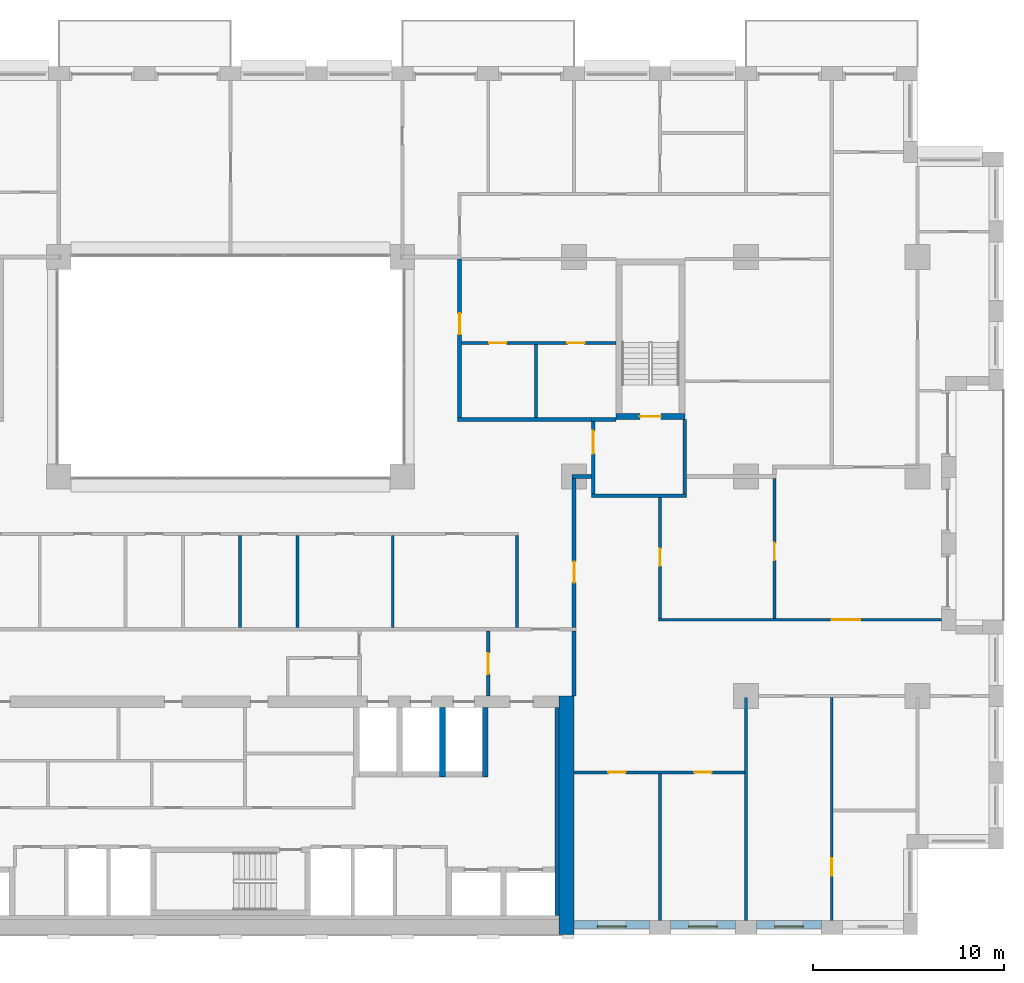
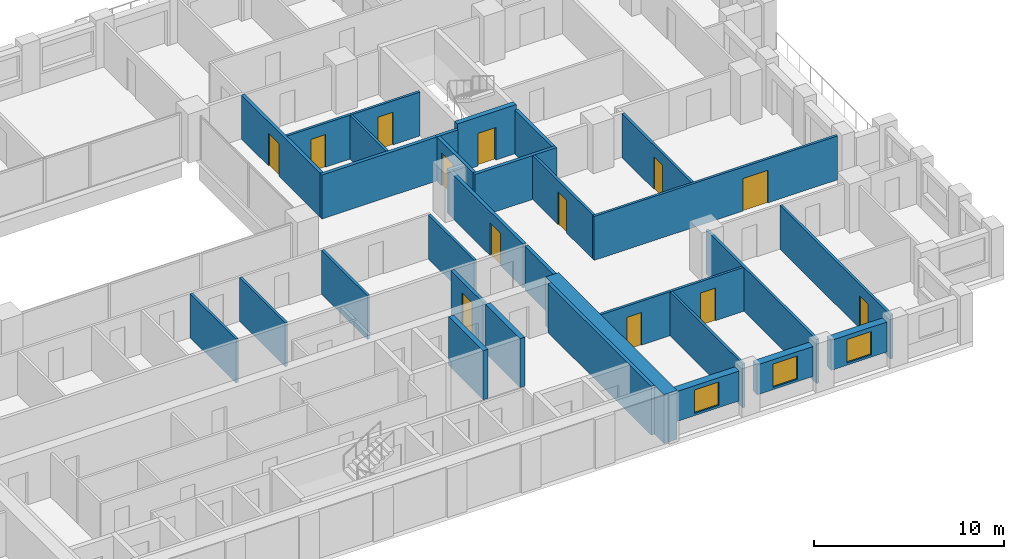
# One storey, part 11 of 16: 31 walls, 13 doors, 3 windows, 16 openings.
"""IFC4 building model written with IfcOpenShell, lengths in metres."""

from ifc_helpers import new_model, si_unit, direction, frame, frame_2d, origin, place, context, subcontext, project, spatial, rectangle, extrude, material, layer, layer_set, type_object, element, fill, save


model = new_model("IFC4")

# Units and contexts
model_context = context("Model", 3, precision=1e-05, world=origin(), true_north=direction((0.0, 1.0)))
body_context = subcontext(model_context, "Body", "Model", "MODEL_VIEW")
ifc_project = project(units=[si_unit("LENGTHUNIT", "METRE"), si_unit("AREAUNIT", "SQUARE_METRE"), si_unit("VOLUMEUNIT", "CUBIC_METRE"), si_unit("PLANEANGLEUNIT", "RADIAN"), si_unit("MASSUNIT", "GRAM", prefix="KILO")], contexts=[model_context])

# Site, building, storey
site_placement = place(None, origin())
site = spatial("IfcSite", under=ifc_project, at=site_placement, CompositionType="ELEMENT")
building_placement = place(site_placement, origin())
building = spatial("IfcBuilding", under=site, at=building_placement, Name="Brigalow Station Residences", CompositionType="ELEMENT")
storey_placement = place(building_placement, frame((0.0, 0.0, 102.449951171875)))
storey = spatial("IfcBuildingStorey", under=building, at=storey_placement, Name="L29", CompositionType="ELEMENT", Elevation=102.449951171875)

# Wall, opening, window
ifc_material_1 = material(Name="Clay brick masonry", Category="masonry")
ifc_layer_1 = layer(ifc_material_1, 0.449951171875)
ifc_layer_set_1 = layer_set([ifc_layer_1], Name="BRICK INFILL WALL 450")
wall_type_1 = type_object("IfcWallType", Name="BRICK INFILL WALL 450", PredefinedType="SOLIDWALL", material=ifc_layer_set_1)
wall_1_placement = place(storey_placement, frame((54.0, 0.52490234375, 0.900146484375), z_axis=(0.0, 0.0, 1.0), x_axis=(1.0, 0.0, 0.0)))
wall_1 = element("IfcWall", 1, at=wall_1_placement, inside=storey, type_object=wall_type_1, Name="L29/ewall/W-L29-4", PredefinedType="SOLIDWALL", context=body_context, shape_type="SweptSolid", body=[
    extrude(rectangle(XDim=3.949951171875, YDim=0.449951171875, at=frame_2d((1.97509765625, 0.0))), origin(), (0.0, 0.0, 1.0), 1.929931640625),
])
opening_1_placement = place(wall_1_placement, frame((1.22509765625, 0.0, 0.14990234375)))
opening_1 = element("IfcOpeningElement", 2, at=opening_1_placement, cuts=wall_1, Name="Opening WT-1", PredefinedType="OPENING", context=body_context, shape_type="SweptSolid", body=[
    extrude(rectangle(XDim=1.5, YDim=1.5, at=frame_2d((0.75, 0.75))), frame((0.0, 0.23486328125, 0.0), z_axis=(0.0, -1.0, 0.0), x_axis=(1.0, 0.0, 0.0)), (0.0, 0.0, 1.0), 0.469970703125),
])
ifc_material_2 = material(Name="Anodised aluminium frame with double glazing", Category="aluminium")
window_type = type_object("IfcWindowType", Name="WINDOW 1500x1500", PartitioningType="SINGLE_PANEL", PredefinedType="WINDOW", material=ifc_material_2)
window_1_placement = place(opening_1_placement, origin())
window_1 = element("IfcWindow", 3, at=window_1_placement, inside=storey, type_object=window_type, Name="L29/window/W-L29-4", OverallHeight=1.5, OverallWidth=1.5, PartitioningType="SINGLE_PANEL", PredefinedType="WINDOW", context=body_context, shape_type="SweptSolid", body=[
    extrude(rectangle(XDim=1.5, YDim=1.5, at=frame_2d((0.75, 0.75))), frame((0.0, -0.06494140625, 0.0), z_axis=(0.0, -1.0, 0.0), x_axis=(1.0, 0.0, 0.0)), (0.0, 0.0, 1.0), 0.06005859375),
])
fill(opening_1, window_1)

wall_2_placement = place(storey_placement, frame((59.050048828125, 0.52490234375, 0.900146484375), z_axis=(0.0, 0.0, 1.0), x_axis=(1.0, 0.0, 0.0)))
wall_2 = element("IfcWall", 4, at=wall_2_placement, inside=storey, type_object=wall_type_1, Name="L29/ewall/W-L29-5", PredefinedType="SOLIDWALL", context=body_context, shape_type="SweptSolid", body=[
    extrude(rectangle(XDim=3.39990234375, YDim=0.449951171875, at=frame_2d((1.699951171875, 0.0))), origin(), (0.0, 0.0, 1.0), 1.929931640625),
])
opening_2_placement = place(wall_2_placement, frame((0.949951171875, 0.0, 0.14990234375)))
opening_2 = element("IfcOpeningElement", 5, at=opening_2_placement, cuts=wall_2, Name="Opening WT-1", PredefinedType="OPENING", context=body_context, shape_type="SweptSolid", body=[
    extrude(rectangle(XDim=1.5, YDim=1.5, at=frame_2d((0.75, 0.75))), frame((0.0, 0.23486328125, 0.0), z_axis=(0.0, -1.0, 0.0), x_axis=(1.0, 0.0, 0.0)), (0.0, 0.0, 1.0), 0.469970703125),
])
window_2_placement = place(opening_2_placement, origin())
window_2 = element("IfcWindow", 6, at=window_2_placement, inside=storey, type_object=window_type, Name="L29/window/W-L29-5", OverallHeight=1.5, OverallWidth=1.5, PartitioningType="SINGLE_PANEL", PredefinedType="WINDOW", context=body_context, shape_type="SweptSolid", body=[
    extrude(rectangle(XDim=1.5, YDim=1.5, at=frame_2d((0.75, 0.75))), frame((0.0, -0.06494140625, 0.0), z_axis=(0.0, -1.0, 0.0), x_axis=(1.0, 0.0, 0.0)), (0.0, 0.0, 1.0), 0.06005859375),
])
fill(opening_2, window_2)

wall_3_placement = place(storey_placement, frame((63.550048828125, 0.52490234375, 0.900146484375), z_axis=(0.0, 0.0, 1.0), x_axis=(1.0, 0.0, 0.0)))
wall_3 = element("IfcWall", 7, at=wall_3_placement, inside=storey, type_object=wall_type_1, Name="L29/ewall/W-L29-6", PredefinedType="SOLIDWALL", context=body_context, shape_type="SweptSolid", body=[
    extrude(rectangle(XDim=3.39990234375, YDim=0.449951171875, at=frame_2d((1.699951171875, 0.0))), origin(), (0.0, 0.0, 1.0), 1.929931640625),
])
opening_3_placement = place(wall_3_placement, frame((0.949951171875, 0.0, 0.14990234375)))
opening_3 = element("IfcOpeningElement", 8, at=opening_3_placement, cuts=wall_3, Name="Opening WT-1", PredefinedType="OPENING", context=body_context, shape_type="SweptSolid", body=[
    extrude(rectangle(XDim=1.5, YDim=1.5, at=frame_2d((0.75, 0.75))), frame((0.0, 0.23486328125, 0.0), z_axis=(0.0, -1.0, 0.0), x_axis=(1.0, 0.0, 0.0)), (0.0, 0.0, 1.0), 0.469970703125),
])
window_3_placement = place(opening_3_placement, origin())
window_3 = element("IfcWindow", 9, at=window_3_placement, inside=storey, type_object=window_type, Name="L29/window/W-L29-6", OverallHeight=1.5, OverallWidth=1.5, PartitioningType="SINGLE_PANEL", PredefinedType="WINDOW", context=body_context, shape_type="SweptSolid", body=[
    extrude(rectangle(XDim=1.5, YDim=1.5, at=frame_2d((0.75, 0.75))), frame((0.0, -0.06494140625, 0.0), z_axis=(0.0, -1.0, 0.0), x_axis=(1.0, 0.0, 0.0)), (0.0, 0.0, 1.0), 0.06005859375),
])
fill(opening_3, window_3)

# Walls
ifc_material_3 = material(Name="Concrete C65", Category="concrete")
ifc_layer_2 = layer(ifc_material_3, 0.199951171875)
ifc_layer_set_2 = layer_set([ifc_layer_2], Name="CORE SHEAR WALL 200 C65")
wall_type_2 = type_object("IfcWallType", Name="CORE SHEAR WALL 200 C65", PredefinedType="SHEAR", material=ifc_layer_set_2)
wall_4_placement = place(storey_placement, frame((53.10009765625, 1.0, 0.0), z_axis=(0.0, 0.0, 1.0), x_axis=(0.0, 1.0, 0.0)))
element("IfcWall", 10, at=wall_4_placement, inside=storey, type_object=wall_type_2, Name="CORE WALL LIN-E L29", PredefinedType="SHEAR", context=body_context, shape_type="SweptSolid", body=[
    extrude(rectangle(XDim=10.89990234375, YDim=0.199951171875, at=frame_2d((5.449951171875, 0.0))), origin(), (0.0, 0.0, 1.0), 3.150146484375),
])
ifc_material_4 = material(Name="Concrete C65", Category="concrete")
ifc_layer_3 = layer(ifc_material_4, 0.300048828125)
ifc_layer_set_3 = layer_set([ifc_layer_3], Name="CORE SHEAR WALL 300 C65")
wall_type_3 = type_object("IfcWallType", Name="CORE SHEAR WALL 300 C65", PredefinedType="SHEAR", material=ifc_layer_set_3)
for number, where, z_axis, x_axis, name in (
    (11, (47.10009765625, 8.25, 0.0), (0.0, 0.0, 1.0), (0.0, 1.0, 0.0), "CORE WALL SH-SL1-W L29"),
    (12, (49.35009765625, 8.25, 0.0), (0.0, 0.0, 1.0), (0.0, 1.0, 0.0), "CORE WALL SH-SL1-E L29"),
):
    element("IfcWall", number, at=place(storey_placement, frame(where, z_axis=z_axis, x_axis=x_axis)), inside=storey, type_object=wall_type_3, Name=name, PredefinedType="SHEAR", context=body_context, shape_type="SweptSolid", body=[
        extrude(rectangle(XDim=3.64990234375, YDim=0.300048828125, at=frame_2d((1.824951171875, 0.0))), origin(), (0.0, 0.0, 1.0), 3.150146484375),
    ])

# Wall, opening, door
wall_5_placement = place(storey_placement, frame((56.199951171875, 27.14990234375, 0.0), z_axis=(0.0, 0.0, 1.0), x_axis=(1.0, 0.0, 0.0)))
wall_5 = element("IfcWall", 13, at=wall_5_placement, inside=storey, type_object=wall_type_3, Name="CORE WALL ST-S3-S L29", PredefinedType="SHEAR", context=body_context, shape_type="SweptSolid", body=[
    extrude(rectangle(XDim=3.60009765625, YDim=0.300048828125, at=frame_2d((1.800048828125, 0.0))), origin(), (0.0, 0.0, 1.0), 3.150146484375),
])
opening_4_placement = place(wall_5_placement, frame((1.25, 0.0, 0.0)))
opening_4 = element("IfcOpeningElement", 14, at=opening_4_placement, cuts=wall_5, Name="Opening D-5018", PredefinedType="OPENING", context=body_context, shape_type="SweptSolid", body=[
    extrude(rectangle(XDim=1.10009765625, YDim=2.10009765625, at=frame_2d((0.550048828125, 1.050048828125))), frame((0.0, 0.16015625, 0.0), z_axis=(0.0, -1.0, 0.0), x_axis=(1.0, 0.0, 0.0)), (0.0, 0.0, 1.0), 0.320068359375),
])
ifc_material_5 = material(Name="Steel fire door leaf in steel frame", Category="steel")
door_type_1 = type_object("IfcDoorType", Name="STAIR DOOR 1100 x 2100 FD60S", OperationType="SINGLE_SWING_LEFT", PredefinedType="DOOR", material=ifc_material_5)
door_1_placement = place(opening_4_placement, origin())
door_1 = element("IfcDoor", 15, at=door_1_placement, inside=storey, type_object=door_type_1, Name="D-5018", OperationType="SINGLE_SWING_LEFT", OverallHeight=2.10009765625, OverallWidth=1.10009765625, PredefinedType="DOOR", context=body_context, shape_type="SweptSolid", body=[
    extrude(rectangle(XDim=1.10009765625, YDim=2.10009765625, at=frame_2d((0.550048828125, 1.050048828125))), frame((0.0, 0.02490234375, 0.0), z_axis=(0.0, -1.0, 0.0), x_axis=(1.0, 0.0, 0.0)), (0.0, 0.0, 1.0), 0.050048828125),
])
fill(opening_4, door_1)

# Walls
ifc_material_6 = material(Name="Concrete C65", Category="concrete")
ifc_layer_4 = layer(ifc_material_6, 0.800048828125)
ifc_layer_set_4 = layer_set([ifc_layer_4], Name="CORE SHEAR WALL 800 C65")
wall_type_4 = type_object("IfcWallType", Name="CORE SHEAR WALL 800 C65", PredefinedType="SHEAR", material=ifc_layer_set_4)
wall_6_placement = place(storey_placement, frame((53.60009765625, 0.0, 0.0), z_axis=(0.0, 0.0, 1.0), x_axis=(0.0, 1.0, 0.0)))
element("IfcWall", 16, at=wall_6_placement, inside=storey, type_object=wall_type_4, Name="CORE WALL OUT-E L29", PredefinedType="SHEAR", context=body_context, shape_type="SweptSolid", body=[
    extrude(rectangle(XDim=12.5, YDim=0.800048828125, at=frame_2d((6.25, 0.0))), origin(), (0.0, 0.0, 1.0), 3.150146484375),
])
ifc_material_7 = material(Name="Concrete blockwork", Category="masonry")
ifc_layer_5 = layer(ifc_material_7, 0.199951171875)
ifc_layer_set_5 = layer_set([ifc_layer_5], Name="FIRE RATED CORE PARTITION 200")
wall_type_5 = type_object("IfcWallType", Name="FIRE RATED CORE PARTITION 200", PredefinedType="PARTITIONING", material=ifc_layer_set_5)
wall_7_placement = place(storey_placement, frame((54.89990234375, 23.0, 0.0), z_axis=(0.0, 0.0, 1.0), x_axis=(1.0, 0.0, 0.0)))
element("IfcWall", 17, at=wall_7_placement, inside=storey, type_object=wall_type_5, Name="PW-5024", PredefinedType="PARTITIONING", context=body_context, shape_type="SweptSolid", body=[
    extrude(rectangle(XDim=5.0, YDim=0.199951171875, at=frame_2d((2.5, 0.0))), origin(), (0.0, 0.0, 1.0), 2.830078125),
])
wall_8_placement = place(storey_placement, frame((54.89990234375, 27.0, 0.0), z_axis=(0.0, 0.0, 1.0), x_axis=(1.0, 0.0, 0.0)))
element("IfcWall", 18, at=wall_8_placement, inside=storey, type_object=wall_type_5, Name="PW-5026", PredefinedType="PARTITIONING", context=body_context, shape_type="SweptSolid", body=[
    extrude(rectangle(XDim=1.300048828125, YDim=0.199951171875, at=frame_2d((0.64990234375, 0.0))), origin(), (0.0, 0.0, 1.0), 2.830078125),
])

# Wall, opening, door
wall_9_placement = place(storey_placement, frame((49.5, 12.5, 0.0), z_axis=(0.0, 0.0, 1.0), x_axis=(0.0, 1.0, 0.0)))
wall_9 = element("IfcWall", 19, at=wall_9_placement, inside=storey, type_object=wall_type_5, Name="PW-5015", PredefinedType="PARTITIONING", context=body_context, shape_type="SweptSolid", body=[
    extrude(rectangle(XDim=3.39990234375, YDim=0.199951171875, at=frame_2d((1.699951171875, 0.0))), origin(), (0.0, 0.0, 1.0), 2.830078125),
])
opening_5_placement = place(wall_9_placement, frame((1.14990234375, 0.0, 0.0)))
opening_5 = element("IfcOpeningElement", 20, at=opening_5_placement, cuts=wall_9, Name="Opening D-5014", PredefinedType="OPENING", context=body_context, shape_type="SweptSolid", body=[
    extrude(rectangle(XDim=1.10009765625, YDim=2.10009765625, at=frame_2d((0.550048828125, 1.050048828125))), frame((0.0, 0.10986328125, 0.0), z_axis=(0.0, -1.0, 0.0), x_axis=(1.0, 0.0, 0.0)), (0.0, 0.0, 1.0), 0.219970703125),
])
ifc_material_8 = material(Name="Steel fire door leaf in steel frame", Category="steel")
door_type_2 = type_object("IfcDoorType", Name="LOBBY DOOR 1100 x 2100 FD60S", OperationType="SINGLE_SWING_LEFT", PredefinedType="DOOR", material=ifc_material_8)
door_2_placement = place(opening_5_placement, origin())
door_2 = element("IfcDoor", 21, at=door_2_placement, inside=storey, type_object=door_type_2, Name="D-5014", OperationType="SINGLE_SWING_LEFT", OverallHeight=2.10009765625, OverallWidth=1.10009765625, PredefinedType="DOOR", context=body_context, shape_type="SweptSolid", body=[
    extrude(rectangle(XDim=1.10009765625, YDim=2.10009765625, at=frame_2d((0.550048828125, 1.050048828125))), frame((0.0, 0.02490234375, 0.0), z_axis=(0.0, -1.0, 0.0), x_axis=(1.0, 0.0, 0.0)), (0.0, 0.0, 1.0), 0.050048828125),
])
fill(opening_5, door_2)

# Wall
wall_10_placement = place(storey_placement, frame((54.0, 12.5, 0.0), z_axis=(0.0, 0.0, 1.0), x_axis=(0.0, 1.0, 0.0)))
element("IfcWall", 22, at=wall_10_placement, inside=storey, type_object=wall_type_5, Name="PW-5016", PredefinedType="PARTITIONING", context=body_context, shape_type="SweptSolid", body=[
    extrude(rectangle(XDim=3.39990234375, YDim=0.199951171875, at=frame_2d((1.699951171875, 0.0))), origin(), (0.0, 0.0, 1.0), 2.830078125),
])

# Wall, opening, door
wall_11_placement = place(storey_placement, frame((55.0, 23.10009765625, 0.0), z_axis=(0.0, 0.0, 1.0), x_axis=(0.0, 1.0, 0.0)))
wall_11 = element("IfcWall", 23, at=wall_11_placement, inside=storey, type_object=wall_type_5, Name="PW-5036", PredefinedType="PARTITIONING", context=body_context, shape_type="SweptSolid", body=[
    extrude(rectangle(XDim=3.7998046875, YDim=0.199951171875, at=frame_2d((1.89990234375, 0.0))), origin(), (0.0, 0.0, 1.0), 2.830078125),
])
opening_6_placement = place(wall_11_placement, frame((2.10009765625, 0.0, 0.0)))
opening_6 = element("IfcOpeningElement", 24, at=opening_6_placement, cuts=wall_11, Name="Opening D-5019", PredefinedType="OPENING", context=body_context, shape_type="SweptSolid", body=[
    extrude(rectangle(XDim=1.199951171875, YDim=2.10009765625, at=frame_2d((0.60009765625, 1.050048828125))), frame((0.0, 0.10986328125, 0.0), z_axis=(0.0, -1.0, 0.0), x_axis=(1.0, 0.0, 0.0)), (0.0, 0.0, 1.0), 0.219970703125),
])
ifc_material_9 = material(Name="Steel fire door leaf in steel frame", Category="steel")
door_type_3 = type_object("IfcDoorType", Name="STAIR LOBBY DOOR 1200 x 2100 FD60S", OperationType="SINGLE_SWING_LEFT", PredefinedType="DOOR", material=ifc_material_9)
door_3_placement = place(opening_6_placement, frame((1.199951171875, 0.0, 0.0), z_axis=(0.0, 0.0, 1.0), x_axis=(-1.0, 0.0, 0.0)))
door_3 = element("IfcDoor", 25, at=door_3_placement, inside=storey, type_object=door_type_3, Name="D-5019", OperationType="SINGLE_SWING_LEFT", OverallHeight=2.10009765625, OverallWidth=1.199951171875, PredefinedType="DOOR", context=body_context, shape_type="SweptSolid", body=[
    extrude(rectangle(XDim=1.199951171875, YDim=2.10009765625, at=frame_2d((0.60009765625, 1.050048828125))), frame((0.0, 0.02490234375, 0.0), z_axis=(0.0, -1.0, 0.0), x_axis=(1.0, 0.0, 0.0)), (0.0, 0.0, 1.0), 0.050048828125),
])
fill(opening_6, door_3)

# Wall
wall_12_placement = place(storey_placement, frame((59.800048828125, 23.10009765625, 0.0), z_axis=(0.0, 0.0, 1.0), x_axis=(0.0, 1.0, 0.0)))
element("IfcWall", 26, at=wall_12_placement, inside=storey, type_object=wall_type_5, Name="PW-5037", PredefinedType="PARTITIONING", context=body_context, shape_type="SweptSolid", body=[
    extrude(rectangle(XDim=3.89990234375, YDim=0.199951171875, at=frame_2d((1.949951171875, 0.0))), origin(), (0.0, 0.0, 1.0), 2.830078125),
])

# Wall, opening, door
ifc_material_10 = material(Name="Plasterboard on steel stud partition", Category="steel")
ifc_layer_6 = layer(ifc_material_10, 0.14990234375)
ifc_layer_set_6 = layer_set([ifc_layer_6], Name="FLAT PARTITION 150")
wall_type_6 = type_object("IfcWallType", Name="FLAT PARTITION 150", PredefinedType="PARTITIONING", material=ifc_layer_set_6)
wall_13_placement = place(storey_placement, frame((58.425048828125, 16.5, 0.0), z_axis=(0.0, 0.0, 1.0), x_axis=(1.0, 0.0, 0.0)))
wall_13 = element("IfcWall", 27, at=wall_13_placement, inside=storey, type_object=wall_type_6, Name="PW-2C14", PredefinedType="PARTITIONING", context=body_context, shape_type="SweptSolid", body=[
    extrude(rectangle(XDim=14.824951171875, YDim=0.14990234375, at=frame_2d((7.41259765625, 0.0))), origin(), (0.0, 0.0, 1.0), 2.830078125),
])
opening_7_placement = place(wall_13_placement, frame((9.074951171875, 0.0, 0.0)))
opening_7 = element("IfcOpeningElement", 28, at=opening_7_placement, cuts=wall_13, Name="Opening D-2C40", PredefinedType="OPENING", context=body_context, shape_type="SweptSolid", body=[
    extrude(rectangle(XDim=1.5, YDim=2.10009765625, at=frame_2d((0.75, 1.050048828125))), frame((0.0, 0.0849609375, 0.0), z_axis=(0.0, -1.0, 0.0), x_axis=(1.0, 0.0, 0.0)), (0.0, 0.0, 1.0), 0.169921875),
])
ifc_material_11 = material(Name="Solid-core timber door leaf", Category="wood")
door_type_4 = type_object("IfcDoorType", Name="INTERNAL DOUBLE DOOR 1500 x 2100", OperationType="DOUBLE_DOOR_SINGLE_SWING", PredefinedType="DOOR", material=ifc_material_11)
door_4_placement = place(opening_7_placement, origin())
door_4 = element("IfcDoor", 29, at=door_4_placement, inside=storey, type_object=door_type_4, Name="D-2C40", OperationType="DOUBLE_DOOR_SINGLE_SWING", OverallHeight=2.10009765625, OverallWidth=1.5, PredefinedType="DOOR", context=body_context, shape_type="SweptSolid", body=[
    extrude(rectangle(XDim=1.5, YDim=2.10009765625, at=frame_2d((0.75, 1.050048828125))), frame((0.0, 0.02490234375, 0.0), z_axis=(0.0, -1.0, 0.0), x_axis=(1.0, 0.0, 0.0)), (0.0, 0.0, 1.0), 0.050048828125),
])
fill(opening_7, door_4)

# Wall, openings, doors
wall_14_placement = place(storey_placement, frame((54.0, 8.5, 0.0), z_axis=(0.0, 0.0, 1.0), x_axis=(1.0, 0.0, 0.0)))
wall_14 = element("IfcWall", 30, at=wall_14_placement, inside=storey, type_object=wall_type_6, Name="PW-2C16", PredefinedType="PARTITIONING", context=body_context, shape_type="SweptSolid", body=[
    extrude(rectangle(XDim=8.925048828125, YDim=0.14990234375, at=frame_2d((4.46240234375, 0.0))), origin(), (0.0, 0.0, 1.0), 2.830078125),
])
opening_8_placement = place(wall_14_placement, frame((1.800048828125, 0.0, 0.0)))
opening_8 = element("IfcOpeningElement", 31, at=opening_8_placement, cuts=wall_14, Name="Opening D-2C32", PredefinedType="OPENING", context=body_context, shape_type="SweptSolid", body=[
    extrude(rectangle(XDim=0.89990234375, YDim=2.10009765625, at=frame_2d((0.449951171875, 1.050048828125))), frame((0.0, 0.0849609375, 0.0), z_axis=(0.0, -1.0, 0.0), x_axis=(1.0, 0.0, 0.0)), (0.0, 0.0, 1.0), 0.169921875),
])
opening_9_placement = place(wall_14_placement, frame((6.300048828125, 0.0, 0.0)))
opening_9 = element("IfcOpeningElement", 32, at=opening_9_placement, cuts=wall_14, Name="Opening D-2C34", PredefinedType="OPENING", context=body_context, shape_type="SweptSolid", body=[
    extrude(rectangle(XDim=0.89990234375, YDim=2.10009765625, at=frame_2d((0.449951171875, 1.050048828125))), frame((0.0, 0.0849609375, 0.0), z_axis=(0.0, -1.0, 0.0), x_axis=(1.0, 0.0, 0.0)), (0.0, 0.0, 1.0), 0.169921875),
])
ifc_material_12 = material(Name="Solid-core timber door leaf", Category="wood")
door_type_5 = type_object("IfcDoorType", Name="INTERNAL DOOR 900 x 2100", OperationType="SINGLE_SWING_LEFT", PredefinedType="DOOR", material=ifc_material_12)
door_5_placement = place(opening_8_placement, frame((0.89990234375, 0.0, 0.0), z_axis=(0.0, 0.0, 1.0), x_axis=(-1.0, 0.0, 0.0)))
door_5 = element("IfcDoor", 33, at=door_5_placement, inside=storey, type_object=door_type_5, Name="D-2C32", OperationType="SINGLE_SWING_LEFT", OverallHeight=2.10009765625, OverallWidth=0.89990234375, PredefinedType="DOOR", context=body_context, shape_type="SweptSolid", body=[
    extrude(rectangle(XDim=0.89990234375, YDim=2.10009765625, at=frame_2d((0.449951171875, 1.050048828125))), frame((0.0, 0.02490234375, 0.0), z_axis=(0.0, -1.0, 0.0), x_axis=(1.0, 0.0, 0.0)), (0.0, 0.0, 1.0), 0.050048828125),
])
fill(opening_8, door_5)
door_6_placement = place(opening_9_placement, frame((0.89990234375, 0.0, 0.0), z_axis=(0.0, 0.0, 1.0), x_axis=(-1.0, 0.0, 0.0)))
door_6 = element("IfcDoor", 34, at=door_6_placement, inside=storey, type_object=door_type_5, Name="D-2C34", OperationType="SINGLE_SWING_RIGHT", OverallHeight=2.10009765625, OverallWidth=0.89990234375, PredefinedType="DOOR", context=body_context, shape_type="SweptSolid", body=[
    extrude(rectangle(XDim=0.89990234375, YDim=2.10009765625, at=frame_2d((0.449951171875, 1.050048828125))), frame((0.0, 0.02490234375, 0.0), z_axis=(0.0, -1.0, 0.0), x_axis=(1.0, 0.0, 0.0)), (0.0, 0.0, 1.0), 0.050048828125),
])
fill(opening_9, door_6)

wall_15_placement = place(storey_placement, frame((48.10009765625, 31.0, 0.0), z_axis=(0.0, 0.0, 1.0), x_axis=(1.0, 0.0, 0.0)))
wall_15 = element("IfcWall", 35, at=wall_15_placement, inside=storey, type_object=wall_type_6, Name="PW-2C31", PredefinedType="PARTITIONING", context=body_context, shape_type="SweptSolid", body=[
    extrude(rectangle(XDim=8.099853515625, YDim=0.14990234375, at=frame_2d((4.0498046875, 0.0))), origin(), (0.0, 0.0, 1.0), 2.830078125),
])
opening_10_placement = place(wall_15_placement, frame((1.449951171875, 0.0, 0.0)))
opening_10 = element("IfcOpeningElement", 36, at=opening_10_placement, cuts=wall_15, Name="Opening D-2C18", PredefinedType="OPENING", context=body_context, shape_type="SweptSolid", body=[
    extrude(rectangle(XDim=0.89990234375, YDim=2.10009765625, at=frame_2d((0.449951171875, 1.050048828125))), frame((0.0, 0.0849609375, 0.0), z_axis=(0.0, -1.0, 0.0), x_axis=(1.0, 0.0, 0.0)), (0.0, 0.0, 1.0), 0.169921875),
])
opening_11_placement = place(wall_15_placement, frame((5.550048828125, 0.0, 0.0)))
opening_11 = element("IfcOpeningElement", 37, at=opening_11_placement, cuts=wall_15, Name="Opening D-2C19", PredefinedType="OPENING", context=body_context, shape_type="SweptSolid", body=[
    extrude(rectangle(XDim=0.89990234375, YDim=2.10009765625, at=frame_2d((0.449951171875, 1.050048828125))), frame((0.0, 0.0849609375, 0.0), z_axis=(0.0, -1.0, 0.0), x_axis=(1.0, 0.0, 0.0)), (0.0, 0.0, 1.0), 0.169921875),
])
door_7_placement = place(opening_10_placement, frame((0.89990234375, 0.0, 0.0), z_axis=(0.0, 0.0, 1.0), x_axis=(-1.0, 0.0, 0.0)))
door_7 = element("IfcDoor", 38, at=door_7_placement, inside=storey, type_object=door_type_5, Name="D-2C18", OperationType="SINGLE_SWING_RIGHT", OverallHeight=2.10009765625, OverallWidth=0.89990234375, PredefinedType="DOOR", context=body_context, shape_type="SweptSolid", body=[
    extrude(rectangle(XDim=0.89990234375, YDim=2.10009765625, at=frame_2d((0.449951171875, 1.050048828125))), frame((0.0, 0.02490234375, 0.0), z_axis=(0.0, -1.0, 0.0), x_axis=(1.0, 0.0, 0.0)), (0.0, 0.0, 1.0), 0.050048828125),
])
fill(opening_10, door_7)
door_8_placement = place(opening_11_placement, frame((0.89990234375, 0.0, 0.0), z_axis=(0.0, 0.0, 1.0), x_axis=(-1.0, 0.0, 0.0)))
door_8 = element("IfcDoor", 39, at=door_8_placement, inside=storey, type_object=door_type_5, Name="D-2C19", OperationType="SINGLE_SWING_RIGHT", OverallHeight=2.10009765625, OverallWidth=0.89990234375, PredefinedType="DOOR", context=body_context, shape_type="SweptSolid", body=[
    extrude(rectangle(XDim=0.89990234375, YDim=2.10009765625, at=frame_2d((0.449951171875, 1.050048828125))), frame((0.0, 0.02490234375, 0.0), z_axis=(0.0, -1.0, 0.0), x_axis=(1.0, 0.0, 0.0)), (0.0, 0.0, 1.0), 0.050048828125),
])
fill(opening_11, door_8)

# Walls
wall_16_placement = place(storey_placement, frame((51.0, 16.10009765625, 0.0), z_axis=(0.0, 0.0, 1.0), x_axis=(0.0, 1.0, 0.0)))
element("IfcWall", 40, at=wall_16_placement, inside=storey, type_object=wall_type_6, Name="PW-2C40", PredefinedType="PARTITIONING", context=body_context, shape_type="SweptSolid", body=[
    extrude(rectangle(XDim=4.824951171875, YDim=0.14990234375, at=frame_2d((2.41259765625, 0.0))), origin(), (0.0, 0.0, 1.0), 2.830078125),
])
wall_17_placement = place(storey_placement, frame((52.0, 27.10009765625, 0.0), z_axis=(0.0, 0.0, 1.0), x_axis=(0.0, 1.0, 0.0)))
element("IfcWall", 41, at=wall_17_placement, inside=storey, type_object=wall_type_6, Name="PW-2C55", PredefinedType="PARTITIONING", context=body_context, shape_type="SweptSolid", body=[
    extrude(rectangle(XDim=3.824951171875, YDim=0.14990234375, at=frame_2d((1.91259765625, 0.0))), origin(), (0.0, 0.0, 1.0), 2.830078125),
])

# Wall, opening, door
wall_18_placement = place(storey_placement, frame((67.5, 0.75, 0.0), z_axis=(0.0, 0.0, 1.0), x_axis=(0.0, 1.0, 0.0)))
wall_18 = element("IfcWall", 42, at=wall_18_placement, inside=storey, type_object=wall_type_6, Name="PW-2C56", PredefinedType="PARTITIONING", context=body_context, shape_type="SweptSolid", body=[
    extrude(rectangle(XDim=11.675048828125, YDim=0.14990234375, at=frame_2d((5.83740234375, 0.0))), origin(), (0.0, 0.0, 1.0), 2.830078125),
])
opening_12_placement = place(wall_18_placement, frame((2.35009765625, 0.0, 0.0)))
opening_12 = element("IfcOpeningElement", 43, at=opening_12_placement, cuts=wall_18, Name="Opening D-2C36", PredefinedType="OPENING", context=body_context, shape_type="SweptSolid", body=[
    extrude(rectangle(XDim=0.89990234375, YDim=2.10009765625, at=frame_2d((0.449951171875, 1.050048828125))), frame((0.0, 0.0849609375, 0.0), z_axis=(0.0, -1.0, 0.0), x_axis=(1.0, 0.0, 0.0)), (0.0, 0.0, 1.0), 0.169921875),
])
door_9_placement = place(opening_12_placement, frame((0.89990234375, 0.0, 0.0), z_axis=(0.0, 0.0, 1.0), x_axis=(-1.0, 0.0, 0.0)))
door_9 = element("IfcDoor", 44, at=door_9_placement, inside=storey, type_object=door_type_5, Name="D-2C36", OperationType="SINGLE_SWING_RIGHT", OverallHeight=2.10009765625, OverallWidth=0.89990234375, PredefinedType="DOOR", context=body_context, shape_type="SweptSolid", body=[
    extrude(rectangle(XDim=0.89990234375, YDim=2.10009765625, at=frame_2d((0.449951171875, 1.050048828125))), frame((0.0, 0.02490234375, 0.0), z_axis=(0.0, -1.0, 0.0), x_axis=(1.0, 0.0, 0.0)), (0.0, 0.0, 1.0), 0.050048828125),
])
fill(opening_12, door_9)

# Wall
wall_19_placement = place(storey_placement, frame((58.5, 0.75, 0.0), z_axis=(0.0, 0.0, 1.0), x_axis=(0.0, 1.0, 0.0)))
element("IfcWall", 45, at=wall_19_placement, inside=storey, type_object=wall_type_6, Name="PW-2C58", PredefinedType="PARTITIONING", context=body_context, shape_type="SweptSolid", body=[
    extrude(rectangle(XDim=7.675048828125, YDim=0.14990234375, at=frame_2d((3.83740234375, 0.0))), origin(), (0.0, 0.0, 1.0), 2.830078125),
])

# Wall, opening, door
wall_20_placement = place(storey_placement, frame((58.5, 16.574951171875, 0.0), z_axis=(0.0, 0.0, 1.0), x_axis=(0.0, 1.0, 0.0)))
wall_20 = element("IfcWall", 46, at=wall_20_placement, inside=storey, type_object=wall_type_6, Name="PW-2C59", PredefinedType="PARTITIONING", context=body_context, shape_type="SweptSolid", body=[
    extrude(rectangle(XDim=6.324951171875, YDim=0.14990234375, at=frame_2d((3.16259765625, 0.0))), origin(), (0.0, 0.0, 1.0), 2.830078125),
])
opening_13_placement = place(wall_20_placement, frame((2.75, 0.0, 0.0)))
opening_13 = element("IfcOpeningElement", 47, at=opening_13_placement, cuts=wall_20, Name="Opening D-2C38", PredefinedType="OPENING", context=body_context, shape_type="SweptSolid", body=[
    extrude(rectangle(XDim=0.89990234375, YDim=2.10009765625, at=frame_2d((0.449951171875, 1.050048828125))), frame((0.0, 0.0849609375, 0.0), z_axis=(0.0, -1.0, 0.0), x_axis=(1.0, 0.0, 0.0)), (0.0, 0.0, 1.0), 0.169921875),
])
door_10_placement = place(opening_13_placement, frame((0.89990234375, 0.0, 0.0), z_axis=(0.0, 0.0, 1.0), x_axis=(-1.0, 0.0, 0.0)))
door_10 = element("IfcDoor", 48, at=door_10_placement, inside=storey, type_object=door_type_5, Name="D-2C38", OperationType="SINGLE_SWING_LEFT", OverallHeight=2.10009765625, OverallWidth=0.89990234375, PredefinedType="DOOR", context=body_context, shape_type="SweptSolid", body=[
    extrude(rectangle(XDim=0.89990234375, YDim=2.10009765625, at=frame_2d((0.449951171875, 1.050048828125))), frame((0.0, 0.02490234375, 0.0), z_axis=(0.0, -1.0, 0.0), x_axis=(1.0, 0.0, 0.0)), (0.0, 0.0, 1.0), 0.050048828125),
])
fill(opening_13, door_10)

# Wall
wall_21_placement = place(storey_placement, frame((63.0, 0.75, 0.0), z_axis=(0.0, 0.0, 1.0), x_axis=(0.0, 1.0, 0.0)))
element("IfcWall", 49, at=wall_21_placement, inside=storey, type_object=wall_type_6, Name="PW-2C61", PredefinedType="PARTITIONING", context=body_context, shape_type="SweptSolid", body=[
    extrude(rectangle(XDim=11.675048828125, YDim=0.14990234375, at=frame_2d((5.83740234375, 0.0))), origin(), (0.0, 0.0, 1.0), 2.830078125),
])

# Wall, opening, door
wall_22_placement = place(storey_placement, frame((64.5, 16.574951171875, 0.0), z_axis=(0.0, 0.0, 1.0), x_axis=(0.0, 1.0, 0.0)))
wall_22 = element("IfcWall", 50, at=wall_22_placement, inside=storey, type_object=wall_type_6, Name="PW-2C63", PredefinedType="PARTITIONING", context=body_context, shape_type="SweptSolid", body=[
    extrude(rectangle(XDim=7.324951171875, YDim=0.14990234375, at=frame_2d((3.66259765625, 0.0))), origin(), (0.0, 0.0, 1.0), 2.830078125),
])
opening_14_placement = place(wall_22_placement, frame((3.050048828125, 0.0, 0.0)))
opening_14 = element("IfcOpeningElement", 51, at=opening_14_placement, cuts=wall_22, Name="Opening D-2C39", PredefinedType="OPENING", context=body_context, shape_type="SweptSolid", body=[
    extrude(rectangle(XDim=0.89990234375, YDim=2.10009765625, at=frame_2d((0.449951171875, 1.050048828125))), frame((0.0, 0.0849609375, 0.0), z_axis=(0.0, -1.0, 0.0), x_axis=(1.0, 0.0, 0.0)), (0.0, 0.0, 1.0), 0.169921875),
])
door_11_placement = place(opening_14_placement, origin())
door_11 = element("IfcDoor", 52, at=door_11_placement, inside=storey, type_object=door_type_5, Name="D-2C39", OperationType="SINGLE_SWING_LEFT", OverallHeight=2.10009765625, OverallWidth=0.89990234375, PredefinedType="DOOR", context=body_context, shape_type="SweptSolid", body=[
    extrude(rectangle(XDim=0.89990234375, YDim=2.10009765625, at=frame_2d((0.449951171875, 1.050048828125))), frame((0.0, 0.02490234375, 0.0), z_axis=(0.0, -1.0, 0.0), x_axis=(1.0, 0.0, 0.0)), (0.0, 0.0, 1.0), 0.050048828125),
])
fill(opening_14, door_11)

# Walls
for number, where, z_axis, x_axis, name in (
    (53, (36.5, 16.10009765625, 0.0), (0.0, 0.0, 1.0), (0.0, 1.0, 0.0), "PW-2C70"),
    (54, (39.5, 16.10009765625, 0.0), (0.0, 0.0, 1.0), (0.0, 1.0, 0.0), "PW-2C71"),
    (55, (44.5, 16.10009765625, 0.0), (0.0, 0.0, 1.0), (0.0, 1.0, 0.0), "PW-2C72"),
):
    element("IfcWall", number, at=place(storey_placement, frame(where, z_axis=z_axis, x_axis=x_axis)), inside=storey, type_object=wall_type_6, Name=name, PredefinedType="PARTITIONING", context=body_context, shape_type="SweptSolid", body=[
        extrude(rectangle(XDim=4.824951171875, YDim=0.14990234375, at=frame_2d((2.41259765625, 0.0))), origin(), (0.0, 0.0, 1.0), 2.830078125),
    ])
ifc_material_13 = material(Name="Plasterboard on steel stud partition", Category="steel")
ifc_layer_7 = layer(ifc_material_13, 0.199951171875)
ifc_layer_set_7 = layer_set([ifc_layer_7], Name="PARTY AND CORRIDOR WALL 200")
wall_type_7 = type_object("IfcWallType", Name="PARTY AND CORRIDOR WALL 200", PredefinedType="PARTITIONING", material=ifc_layer_set_7)
wall_23_placement = place(storey_placement, frame((53.89990234375, 24.0, 0.0), z_axis=(0.0, 0.0, 1.0), x_axis=(1.0, 0.0, 0.0)))
element("IfcWall", 56, at=wall_23_placement, inside=storey, type_object=wall_type_7, Name="PW-2C03", PredefinedType="PARTITIONING", context=body_context, shape_type="SweptSolid", body=[
    extrude(rectangle(XDim=1.0, YDim=0.199951171875, at=frame_2d((0.5, 0.0))), origin(), (0.0, 0.0, 1.0), 2.830078125),
])
wall_24_placement = place(storey_placement, frame((47.89990234375, 27.0, 0.0), z_axis=(0.0, 0.0, 1.0), x_axis=(1.0, 0.0, 0.0)))
element("IfcWall", 57, at=wall_24_placement, inside=storey, type_object=wall_type_7, Name="PW-2C06", PredefinedType="PARTITIONING", context=body_context, shape_type="SweptSolid", body=[
    extrude(rectangle(XDim=7.0, YDim=0.199951171875, at=frame_2d((3.5, 0.0))), origin(), (0.0, 0.0, 1.0), 2.830078125),
])

# Wall, opening, door
wall_25_placement = place(storey_placement, frame((54.0, 16.10009765625, 0.0), z_axis=(0.0, 0.0, 1.0), x_axis=(0.0, 1.0, 0.0)))
wall_25 = element("IfcWall", 58, at=wall_25_placement, inside=storey, type_object=wall_type_7, Name="PW-2C38", PredefinedType="PARTITIONING", context=body_context, shape_type="SweptSolid", body=[
    extrude(rectangle(XDim=7.7998046875, YDim=0.199951171875, at=frame_2d((3.89990234375, 0.0))), origin(), (0.0, 0.0, 1.0), 2.830078125),
])
opening_15_placement = place(wall_25_placement, frame((2.35009765625, 0.0, 0.0)))
opening_15 = element("IfcOpeningElement", 59, at=opening_15_placement, cuts=wall_25, Name="Opening D-2C31", PredefinedType="OPENING", context=body_context, shape_type="SweptSolid", body=[
    extrude(rectangle(XDim=1.10009765625, YDim=2.10009765625, at=frame_2d((0.550048828125, 1.050048828125))), frame((0.0, 0.10986328125, 0.0), z_axis=(0.0, -1.0, 0.0), x_axis=(1.0, 0.0, 0.0)), (0.0, 0.0, 1.0), 0.219970703125),
])
ifc_material_14 = material(Name="Solid-core timber door leaf", Category="wood")
door_type_6 = type_object("IfcDoorType", Name="FLAT ENTRANCE DOOR 1100 x 2100 FRL -/60/30", OperationType="SINGLE_SWING_LEFT", PredefinedType="DOOR", material=ifc_material_14)
door_12_placement = place(opening_15_placement, frame((1.10009765625, 0.0, 0.0), z_axis=(0.0, 0.0, 1.0), x_axis=(-1.0, 0.0, 0.0)))
door_12 = element("IfcDoor", 60, at=door_12_placement, inside=storey, type_object=door_type_6, Name="D-2C31", OperationType="SINGLE_SWING_LEFT", OverallHeight=2.10009765625, OverallWidth=1.10009765625, PredefinedType="DOOR", context=body_context, shape_type="SweptSolid", body=[
    extrude(rectangle(XDim=1.10009765625, YDim=2.10009765625, at=frame_2d((0.550048828125, 1.050048828125))), frame((0.0, 0.02490234375, 0.0), z_axis=(0.0, -1.0, 0.0), x_axis=(1.0, 0.0, 0.0)), (0.0, 0.0, 1.0), 0.050048828125),
])
fill(opening_15, door_12)

wall_26_placement = place(storey_placement, frame((48.0, 27.10009765625, 0.0), z_axis=(0.0, 0.0, 1.0), x_axis=(0.0, 1.0, 0.0)))
wall_26 = element("IfcWall", 61, at=wall_26_placement, inside=storey, type_object=wall_type_7, Name="PW-2C43", PredefinedType="PARTITIONING", context=body_context, shape_type="SweptSolid", body=[
    extrude(rectangle(XDim=8.2998046875, YDim=0.199951171875, at=frame_2d((4.14990234375, 0.0))), origin(), (0.0, 0.0, 1.0), 2.830078125),
])
opening_16_placement = place(wall_26_placement, frame((4.35009765625, 0.0, 0.0)))
opening_16 = element("IfcOpeningElement", 62, at=opening_16_placement, cuts=wall_26, Name="Opening D-2C17", PredefinedType="OPENING", context=body_context, shape_type="SweptSolid", body=[
    extrude(rectangle(XDim=1.10009765625, YDim=2.10009765625, at=frame_2d((0.550048828125, 1.050048828125))), frame((0.0, 0.10986328125, 0.0), z_axis=(0.0, -1.0, 0.0), x_axis=(1.0, 0.0, 0.0)), (0.0, 0.0, 1.0), 0.219970703125),
])
door_13_placement = place(opening_16_placement, frame((1.10009765625, 0.0, 0.0), z_axis=(0.0, 0.0, 1.0), x_axis=(-1.0, 0.0, 0.0)))
door_13 = element("IfcDoor", 63, at=door_13_placement, inside=storey, type_object=door_type_6, Name="D-2C17", OperationType="SINGLE_SWING_RIGHT", OverallHeight=2.10009765625, OverallWidth=1.10009765625, PredefinedType="DOOR", context=body_context, shape_type="SweptSolid", body=[
    extrude(rectangle(XDim=1.10009765625, YDim=2.10009765625, at=frame_2d((0.550048828125, 1.050048828125))), frame((0.0, 0.02490234375, 0.0), z_axis=(0.0, -1.0, 0.0), x_axis=(1.0, 0.0, 0.0)), (0.0, 0.0, 1.0), 0.050048828125),
])
fill(opening_16, door_13)

save(model, "model.ifc")
